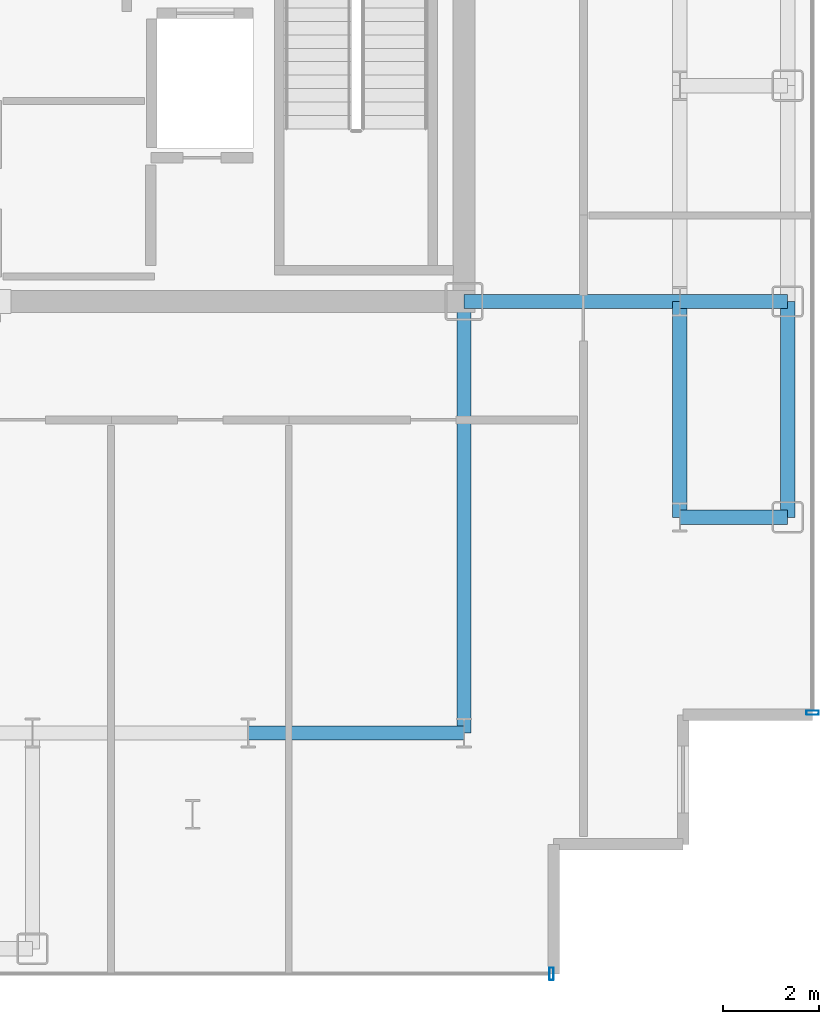
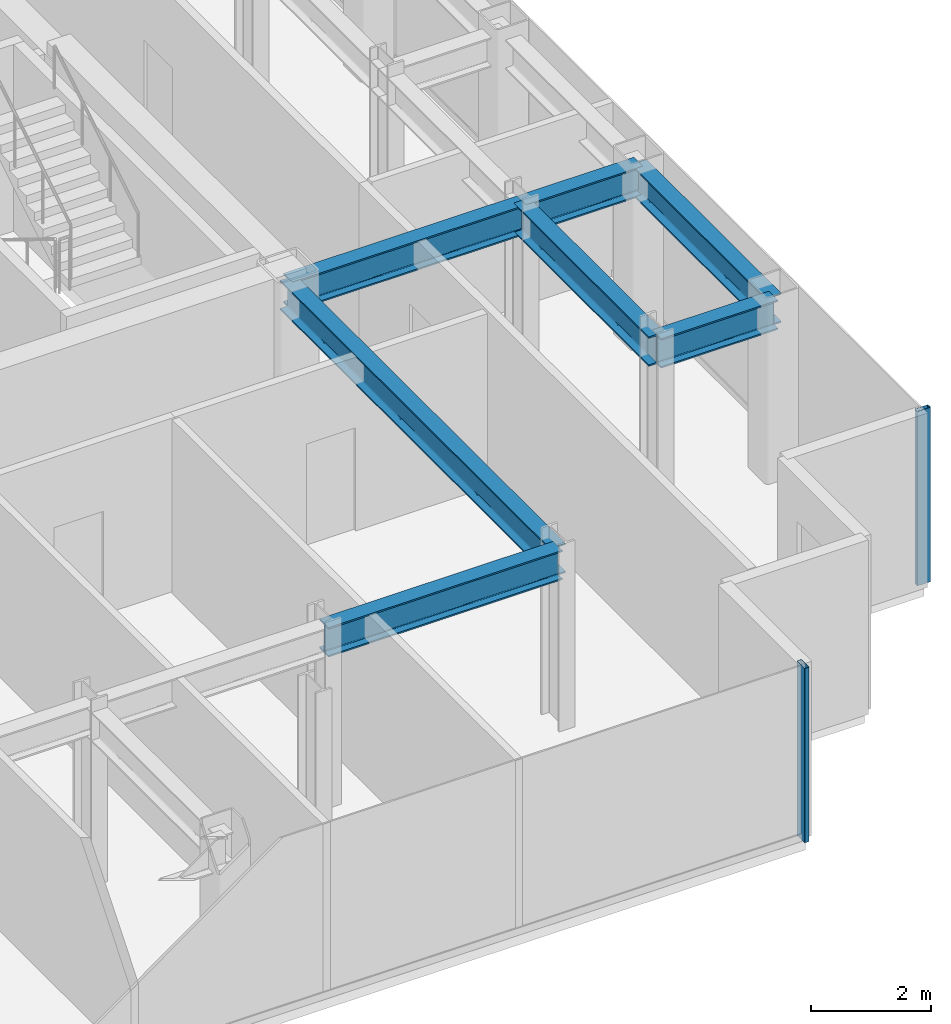
# One storey, part 4 of 17: 7 beams, 2 members, 2 elements without a shape of their own.
"""IFC4 building model written with IfcOpenShell, lengths in metres."""

from ifc_helpers import new_model, si_unit, direction, frame, origin, origin_2d, place, context, subcontext, project, spatial, hollow_rectangle, i_section, extrude, source, transform, mapped, material, layer, layer_set, material_profile, profile_set, type_object, element, aggregate, save


model = new_model("IFC4")

# Units and contexts
model_context = context("Model", 3, precision=1e-05, world=origin(), true_north=direction((0.0, 1.0)))
body_context = subcontext(model_context, "Body", "Model", "MODEL_VIEW")
ifc_project = project(units=[si_unit("LENGTHUNIT", "METRE"), si_unit("AREAUNIT", "SQUARE_METRE"), si_unit("VOLUMEUNIT", "CUBIC_METRE"), si_unit("PLANEANGLEUNIT", "RADIAN"), si_unit("MASSUNIT", "GRAM", prefix="KILO")], contexts=[model_context])

# Site, building, storey
site_placement = place(None, origin())
site = spatial("IfcSite", under=ifc_project, at=site_placement, CompositionType="ELEMENT")
building_placement = place(site_placement, origin())
building = spatial("IfcBuilding", under=site, at=building_placement, Name="Nefas-Gora Pilgrimage Tower", CompositionType="ELEMENT")
storey_placement = place(building_placement, frame((0.0, 0.0, 279.800048828125)))
storey = spatial("IfcBuildingStorey", under=building, at=storey_placement, Name="L70", CompositionType="ELEMENT", Elevation=279.800048828125)

# Beams
ifc_material_1 = material(Name="Steel S355", Category="steel")
ifc_material_profile_1 = material_profile(ifc_material_1, i_section(OverallWidth=0.300048828125, OverallDepth=0.60009765625, WebThickness=0.015380859375, FlangeThickness=0.030029296875, FilletRadius=0.027099609375, at=origin_2d()), Name="HEB 600")
ifc_profile_set_1 = profile_set([ifc_material_profile_1], Name="Steel S355")
beam_type_1 = type_object("IfcBeamType", Name="BM-SPN-HEB450", PredefinedType="SPANDREL", material=ifc_profile_set_1)
shared_shape_1 = source(origin(), body_context, "Body", "SweptSolid", [
    extrude(i_section(OverallWidth=0.300048828125, OverallDepth=0.60009765625, WebThickness=0.015380859375, FlangeThickness=0.030029296875, FilletRadius=0.027099609375, at=origin_2d()), origin(), (0.0, 0.0, 1.0), 4.5),
])
beam_1_placement = place(storey_placement, frame((18.0, -13.5, 3.25), z_axis=(0.0, 1.0, 0.0), x_axis=(-1.0, 0.0, 0.0)))
element("IfcBeam", 1, at=beam_1_placement, inside=storey, type_object=beam_type_1, Name="L70 SP-03 beam", PredefinedType="SPANDREL", context=body_context, shape_type="MappedRepresentation", body=[
    mapped(shared_shape_1, transform((0.0, 0.0, 0.0), x_axis=(1.0, 0.0, 0.0), y_axis=(0.0, 1.0, 0.0), z_axis=(0.0, 0.0, 1.0), scale=1.0)),
])
ifc_material_profile_2 = material_profile(ifc_material_1, i_section(OverallWidth=0.300048828125, OverallDepth=0.60009765625, WebThickness=0.015380859375, FlangeThickness=0.030029296875, FilletRadius=0.027099609375, at=origin_2d()), Name="HEB 600")
ifc_profile_set_2 = profile_set([ifc_material_profile_2], Name="Steel S355")
beam_type_2 = type_object("IfcBeamType", Name="BM-GIR-HEB600", PredefinedType="BEAM", material=ifc_profile_set_2)
shared_shape_2 = source(origin(), body_context, "Body", "SweptSolid", [
    extrude(i_section(OverallWidth=0.300048828125, OverallDepth=0.60009765625, WebThickness=0.015380859375, FlangeThickness=0.030029296875, FilletRadius=0.027099609375, at=origin_2d()), origin(), (0.0, 0.0, 1.0), 9.0),
])
beam_2_placement = place(storey_placement, frame((11.25, -18.0, 3.25), z_axis=(0.0, 1.0, 0.0), x_axis=(-1.0, 0.0, 0.0)))
element("IfcBeam", 2, at=beam_2_placement, inside=storey, type_object=beam_type_2, Name="L70 G-04 beam", PredefinedType="BEAM", context=body_context, shape_type="MappedRepresentation", body=[
    mapped(shared_shape_2, transform((0.0, 0.0, 0.0), x_axis=(1.0, 0.0, 0.0), y_axis=(0.0, 1.0, 0.0), z_axis=(0.0, 0.0, 1.0), scale=1.0)),
])
shared_shape_3 = source(origin(), body_context, "Body", "SweptSolid", [
    extrude(i_section(OverallWidth=0.300048828125, OverallDepth=0.60009765625, WebThickness=0.015380859375, FlangeThickness=0.030029296875, FilletRadius=0.027099609375, at=origin_2d()), origin(), (0.0, 0.0, 1.0), 4.5),
])
for number, where, z_axis, x_axis, name in (
    (3, (6.75, -18.0, 3.25), (1.0, 0.0, 0.0), (0.0, 1.0, 0.0), "L70 G-04 beam"),
    (4, (11.25, -9.0, 3.25), (1.0, 0.0, 0.0), (0.0, 1.0, 0.0), "L70 G-04 beam"),
    (5, (15.75, -13.5, 3.25), (0.0, 1.0, 0.0), (-1.0, 0.0, 0.0), "L70 G-04 beam"),
):
    element("IfcBeam", number, at=place(storey_placement, frame(where, z_axis=z_axis, x_axis=x_axis)), inside=storey, type_object=beam_type_2, Name=name, PredefinedType="BEAM", context=body_context, shape_type="MappedRepresentation", body=[
        mapped(shared_shape_3, transform((0.0, 0.0, 0.0), x_axis=(1.0, 0.0, 0.0), y_axis=(0.0, 1.0, 0.0), z_axis=(0.0, 0.0, 1.0), scale=1.0)),
    ])
shared_shape_4 = source(origin(), body_context, "Body", "SweptSolid", [
    extrude(i_section(OverallWidth=0.300048828125, OverallDepth=0.60009765625, WebThickness=0.015380859375, FlangeThickness=0.030029296875, FilletRadius=0.027099609375, at=origin_2d()), origin(), (0.0, 0.0, 1.0), 2.25),
])
for number, where, z_axis, x_axis, name in (
    (6, (15.75, -13.5, 3.25), (1.0, 0.0, 0.0), (0.0, 1.0, 0.0), "L70 G-04 beam"),
    (7, (15.75, -9.0, 3.25), (1.0, 0.0, 0.0), (0.0, 1.0, 0.0), "L70 G-04 beam"),
):
    element("IfcBeam", number, at=place(storey_placement, frame(where, z_axis=z_axis, x_axis=x_axis)), inside=storey, type_object=beam_type_2, Name=name, PredefinedType="BEAM", context=body_context, shape_type="MappedRepresentation", body=[
        mapped(shared_shape_4, transform((0.0, 0.0, 0.0), x_axis=(1.0, 0.0, 0.0), y_axis=(0.0, 1.0, 0.0), z_axis=(0.0, 0.0, 1.0), scale=1.0)),
    ])

# Curtain wall, member
ifc_material_2 = material(Name="Dark ceramic-fritted solar-control aluminium-glass curtain wall", Category="aluminium")
ifc_layer = layer(ifc_material_2, 0.219970703125)
ifc_layer_set = layer_set([ifc_layer], Name="Dark ceramic-fritted solar-control aluminium-glass curtain wall")
curtain_wall_type = type_object("IfcCurtainWallType", Name="CW-SYS-4", PredefinedType="NOTDEFINED", material=ifc_layer_set)
curtain_wall_1_placement = place(storey_placement, origin())
curtain_wall_1 = element("IfcCurtainWall", 8, at=curtain_wall_1_placement, inside=storey, type_object=curtain_wall_type, Name="L70 Unitised Curtain Wall CW4", PredefinedType="NOTDEFINED")
ifc_material_3 = material(Name="Anodised architectural aluminium", Category="aluminium")
ifc_material_profile_3 = material_profile(ifc_material_3, hollow_rectangle(XDim=0.090087890625, YDim=0.260009765625, WallThickness=0.006103515625, InnerFilletRadius=0.006103515625, OuterFilletRadius=0.011962890625, at=origin_2d()), Name="ALU MULLION 90x260")
ifc_profile_set_3 = profile_set([ifc_material_profile_3], Name="Anodised architectural aluminium")
member_type = type_object("IfcMemberType", Name="CWM-MUL-4", PredefinedType="MULLION", material=ifc_profile_set_3)
shared_shape_5 = source(origin(), body_context, "Body", "SweptSolid", [
    extrude(hollow_rectangle(XDim=0.090087890625, YDim=0.260009765625, WallThickness=0.006103515625, InnerFilletRadius=0.006103515625, OuterFilletRadius=0.011962890625, at=origin_2d()), origin(), (0.0, 0.0, 1.0), 3.550048828125),
])
member_1_placement = place(storey_placement, frame((18.52001953125, -17.574951171875, 0.0), z_axis=(0.0, 0.0, 1.0), x_axis=(0.0, 1.0, 0.0)))
member_1 = element("IfcMember", 9, at=member_1_placement, type_object=member_type, Name="CW4 Mullion 1", PredefinedType="MULLION", context=body_context, shape_type="MappedRepresentation", body=[
    mapped(shared_shape_5, transform((0.0, 0.0, 0.0), x_axis=(1.0, 0.0, 0.0), y_axis=(0.0, 1.0, 0.0), z_axis=(0.0, 0.0, 1.0), scale=1.0)),
])
aggregate(curtain_wall_1, [member_1])

curtain_wall_2_placement = place(storey_placement, origin())
curtain_wall_2 = element("IfcCurtainWall", 10, at=curtain_wall_2_placement, inside=storey, type_object=curtain_wall_type, Name="L70 Unitised Curtain Wall CW4", PredefinedType="NOTDEFINED")
member_2_placement = place(storey_placement, frame((13.074951171875, -23.02001953125, 0.0), z_axis=(0.0, 0.0, 1.0), x_axis=(1.0, 0.0, 0.0)))
member_2 = element("IfcMember", 11, at=member_2_placement, type_object=member_type, Name="CW4 Mullion 2", PredefinedType="MULLION", context=body_context, shape_type="MappedRepresentation", body=[
    mapped(shared_shape_5, transform((0.0, 0.0, 0.0), x_axis=(1.0, 0.0, 0.0), y_axis=(0.0, 1.0, 0.0), z_axis=(0.0, 0.0, 1.0), scale=1.0)),
])
aggregate(curtain_wall_2, [member_2])

save(model, "model.ifc")
